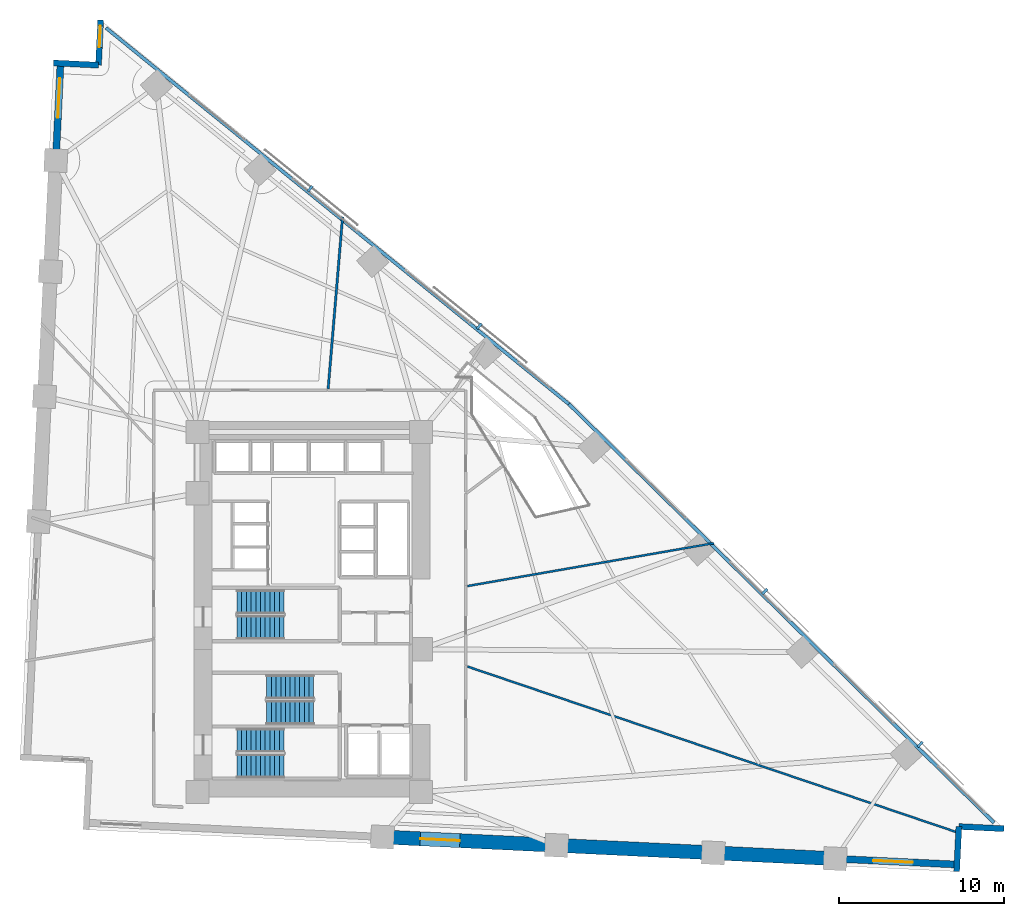
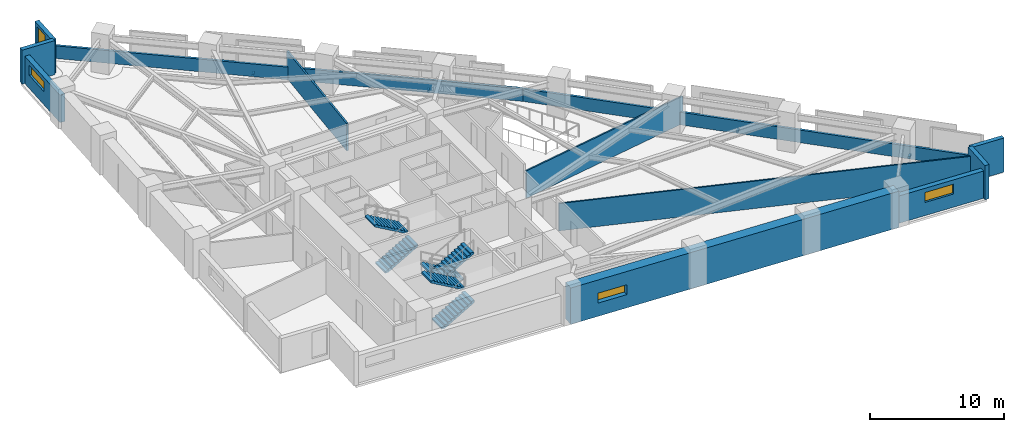
# One storey, part 15 of 17: 12 walls, 6 stair flights, 4 discrete accessories, 4 windows, 4 openings, 3 elements without a shape of their own.
"""IFC4 building model written with IfcOpenShell, lengths in metres."""

from ifc_helpers import new_model, si_unit, direction, frame, frame_2d, origin, origin_2d, place, context, subcontext, project, spatial, polyline, rectangle, outline, extrude, material, layer, layer_set, type_object, element, fill, aggregate, save


model = new_model("IFC4")

# Units and contexts
model_context = context("Model", 3, precision=1e-05, world=origin(), true_north=direction((0.0, 1.0)))
body_context = subcontext(model_context, "Body", "Model", "MODEL_VIEW")
ifc_project = project(units=[si_unit("LENGTHUNIT", "METRE"), si_unit("AREAUNIT", "SQUARE_METRE"), si_unit("VOLUMEUNIT", "CUBIC_METRE"), si_unit("PLANEANGLEUNIT", "RADIAN"), si_unit("MASSUNIT", "GRAM", prefix="KILO")], contexts=[model_context])

# Site, building, storey
site_placement = place(None, origin())
site = spatial("IfcSite", under=ifc_project, at=site_placement, CompositionType="ELEMENT")
building_placement = place(site_placement, origin())
building = spatial("IfcBuilding", under=site, at=building_placement, Name="Narakoshi Arena Tower", CompositionType="ELEMENT")
storey_placement = place(building_placement, frame((0.0, 0.0, 55.5)))
storey = spatial("IfcBuildingStorey", under=building, at=storey_placement, Name="L14", CompositionType="ELEMENT", Elevation=55.5)

# Wall, opening, window
ifc_material_1 = material(Name="Concrete C60/75", Category="concrete")
ifc_layer_1 = layer(ifc_material_1, 0.85009765625)
ifc_layer_set_1 = layer_set([ifc_layer_1], Name="Concrete C60/75")
wall_type_1 = type_object("IfcWallType", Name="WL-LEG-850", PredefinedType="SHEAR", material=ifc_layer_set_1)
wall_1_placement = place(storey_placement, frame((83.2119140625, 31.979248046875, -0.199951171875), z_axis=(0.0, 0.0, 1.0), x_axis=(0.998848235141, -0.047981279227, 0.0)))
wall_1 = element("IfcWall", 1, at=wall_1_placement, inside=storey, type_object=wall_type_1, Name="L14 Architectural Concrete Structural Wall LEGA-2", PredefinedType="SHEAR", context=body_context, shape_type="SweptSolid", body=[
    extrude(rectangle(XDim=27.456298828125, YDim=0.85009765625, at=frame_2d((13.72802734375, 0.0))), origin(), (0.0, 0.0, 1.0), 3.300048828125),
])
opening_1_placement = place(wall_1_placement, frame((2.300048828125, 0.0, 1.199951171875)))
opening_1 = element("IfcOpeningElement", 2, at=opening_1_placement, cuts=wall_1, Name="Opening WN-01", PredefinedType="OPENING", context=body_context, shape_type="SweptSolid", body=[
    extrude(rectangle(XDim=2.39990234375, YDim=0.89990234375, at=frame_2d((1.199951171875, 0.449951171875))), frame((0.0, 0.43505859375, 0.0), z_axis=(0.0, -1.0, 0.0), x_axis=(1.0, 0.0, 0.0)), (0.0, 0.0, 1.0), 0.8701171875),
])
ifc_material_2 = material(Name="Bronze-tinted low-E laminated glass", Category="glass")
window_type_1 = type_object("IfcWindowType", Name="WIN-SLT-24x09", PartitioningType="SINGLE_PANEL", PredefinedType="WINDOW", material=ifc_material_2)
window_1_placement = place(opening_1_placement, origin())
window_1 = element("IfcWindow", 3, at=window_1_placement, inside=storey, type_object=window_type_1, Name="L14 LEGA2 Horizontal Slot Window 1", OverallHeight=0.89990234375, OverallWidth=2.39990234375, PartitioningType="SINGLE_PANEL", PredefinedType="WINDOW", context=body_context, shape_type="SweptSolid", body=[
    extrude(rectangle(XDim=2.39990234375, YDim=0.89990234375, at=frame_2d((1.199951171875, 0.449951171875))), frame((0.0, 0.030029296875, 0.0), z_axis=(0.0, -1.0, 0.0), x_axis=(1.0, 0.0, 0.0)), (0.0, 0.0, 1.0), 0.06005859375),
])
fill(opening_1, window_1)

# Walls
ifc_material_3 = material(Name="Precast concrete C45/55", Category="concrete")
ifc_layer_2 = layer(ifc_material_3, 0.25)
ifc_layer_set_2 = layer_set([ifc_layer_2], Name="Precast concrete C45/55")
wall_type_2 = type_object("IfcWallType", Name="WL-PARA-250", PredefinedType="PARAPET", material=ifc_layer_set_2)
wall_2_placement = place(storey_placement, frame((120.254150390625, 32.847900390625, 0.0), z_axis=(0.0, 0.0, 1.0), x_axis=(-0.71254385441, 0.701627576099, 0.0)))
element("IfcWall", 4, at=wall_2_placement, inside=storey, type_object=wall_type_2, Name="L14 Hypotenuse Sill Upstand Parapet 1-01", PredefinedType="PARAPET", context=body_context, shape_type="SweptSolid", body=[
    extrude(rectangle(XDim=36.1416015625, YDim=0.199951171875, at=frame_2d((18.07080078125, 0.0))), origin(), (0.0, 0.0, 1.0), 1.14990234375),
])
wall_3_placement = place(storey_placement, frame((94.51318359375, 58.19580078125, 0.0), z_axis=(0.0, 0.0, 1.0), x_axis=(-0.776001602097, 0.630730935933, 0.0)))
element("IfcWall", 5, at=wall_3_placement, inside=storey, type_object=wall_type_2, Name="L14 Hypotenuse Sill Upstand Parapet 2-01", PredefinedType="PARAPET", context=body_context, shape_type="SweptSolid", body=[
    extrude(rectangle(XDim=36.14794921875, YDim=0.199951171875, at=frame_2d((18.073974609375, 0.0))), origin(), (0.0, 0.0, 1.0), 1.14990234375),
])
ifc_material_4 = material(Name="Gypsum plasterboard fire-rated partition")
ifc_layer_3 = layer(ifc_material_4, 0.125)
ifc_layer_set_3 = layer_set([ifc_layer_3], Name="Gypsum plasterboard fire-rated partition")
wall_type_3 = type_object("IfcWallType", Name="WL-PART-125", PredefinedType="PARTITIONING", material=ifc_layer_set_3)
wall_4_placement = place(storey_placement, frame((88.360107421875, 42.30419921875, 0.0), z_axis=(0.0, 0.0, 1.0), x_axis=(0.947179651732, -0.32070345702, 0.0)))
element("IfcWall", 6, at=wall_4_placement, inside=storey, type_object=wall_type_3, Name="L14 Inter-Room Partition 02-03", PredefinedType="PARTITIONING", context=body_context, shape_type="SweptSolid", body=[
    extrude(rectangle(XDim=31.411376953125, YDim=0.125, at=frame_2d((15.70556640625, 0.0))), origin(), (0.0, 0.0, 1.0), 2.485107421875),
])
wall_5_placement = place(storey_placement, frame((88.360107421875, 47.177978515625, 0.0), z_axis=(0.0, 0.0, 1.0), x_axis=(0.985210927216, 0.171345933402, 0.0)))
element("IfcWall", 7, at=wall_5_placement, inside=storey, type_object=wall_type_3, Name="L14 Inter-Room Partition 03-04", PredefinedType="PARTITIONING", context=body_context, shape_type="SweptSolid", body=[
    extrude(rectangle(XDim=15.156005859375, YDim=0.125, at=frame_2d((7.578125, 0.0))), origin(), (0.0, 0.0, 1.0), 2.485107421875),
])

# Wall, opening, window
ifc_layer_4 = layer(ifc_material_3, 0.419921875)
ifc_layer_set_4 = layer_set([ifc_layer_4], Name="Precast concrete C45/55")
wall_type_4 = type_object("IfcWallType", Name="WL-POD-420", PredefinedType="SOLIDWALL", material=ifc_layer_set_4)
wall_6_placement = place(storey_placement, frame((110.636474609375, 30.661865234375, 0.0), z_axis=(0.0, 0.0, 1.0), x_axis=(0.998847872759, -0.047988822508, 0.0)))
wall_6 = element("IfcWall", 8, at=wall_6_placement, inside=storey, type_object=wall_type_4, Name="L14 Architectural Concrete Facade Wall LEGA-3", PredefinedType="SOLIDWALL", context=body_context, shape_type="SweptSolid", body=[
    extrude(rectangle(XDim=7.39208984375, YDim=0.419921875, at=frame_2d((3.696044921875, 0.0))), origin(), (0.0, 0.0, 1.0), 2.485107421875),
])
opening_2_placement = place(wall_6_placement, frame((2.300048828125, 0.0, 1.199951171875)))
opening_2 = element("IfcOpeningElement", 9, at=opening_2_placement, cuts=wall_6, Name="Opening WN-01", PredefinedType="OPENING", context=body_context, shape_type="SweptSolid", body=[
    extrude(rectangle(XDim=2.39990234375, YDim=0.89990234375, at=frame_2d((1.199951171875, 0.449951171875))), frame((0.0, 0.219970703125, 0.0), z_axis=(0.0, -1.0, 0.0), x_axis=(1.0, 0.0, 0.0)), (0.0, 0.0, 1.0), 0.43994140625),
])
window_2_placement = place(opening_2_placement, origin())
window_2 = element("IfcWindow", 10, at=window_2_placement, inside=storey, type_object=window_type_1, Name="L14 LEGA3 Horizontal Slot Window 1", OverallHeight=0.89990234375, OverallWidth=2.39990234375, PartitioningType="SINGLE_PANEL", PredefinedType="WINDOW", context=body_context, shape_type="SweptSolid", body=[
    extrude(rectangle(XDim=2.39990234375, YDim=0.89990234375, at=frame_2d((1.199951171875, 0.449951171875))), frame((0.0, 0.030029296875, 0.0), z_axis=(0.0, -1.0, 0.0), x_axis=(1.0, 0.0, 0.0)), (0.0, 0.0, 1.0), 0.06005859375),
])
fill(opening_2, window_2)

wall_7_placement = place(storey_placement, frame((63.711181640625, 78.84375, 0.0), z_axis=(0.0, 0.0, 1.0), x_axis=(-0.048007946398, -0.998846953784, 0.0)))
wall_7 = element("IfcWall", 11, at=wall_7_placement, inside=storey, type_object=wall_type_4, Name="L14 Architectural Concrete Facade Wall LEGB-1", PredefinedType="SOLIDWALL", context=body_context, shape_type="SweptSolid", body=[
    extrude(rectangle(XDim=5.89404296875, YDim=0.419921875, at=frame_2d((2.947021484375, 0.0))), origin(), (0.0, 0.0, 1.0), 2.485107421875),
])
opening_3_placement = place(wall_7_placement, frame((0.89990234375, 0.0, 1.199951171875)))
opening_3 = element("IfcOpeningElement", 12, at=opening_3_placement, cuts=wall_7, Name="Opening WN-01", PredefinedType="OPENING", context=body_context, shape_type="SweptSolid", body=[
    extrude(rectangle(XDim=2.39990234375, YDim=0.89990234375, at=frame_2d((1.199951171875, 0.449951171875))), frame((0.0, 0.219970703125, 0.0), z_axis=(0.0, -1.0, 0.0), x_axis=(1.0, 0.0, 0.0)), (0.0, 0.0, 1.0), 0.43994140625),
])
window_3_placement = place(opening_3_placement, origin())
window_3 = element("IfcWindow", 13, at=window_3_placement, inside=storey, type_object=window_type_1, Name="L14 LEGB1 Horizontal Slot Window 1", OverallHeight=0.89990234375, OverallWidth=2.39990234375, PartitioningType="SINGLE_PANEL", PredefinedType="WINDOW", context=body_context, shape_type="SweptSolid", body=[
    extrude(rectangle(XDim=2.39990234375, YDim=0.89990234375, at=frame_2d((1.199951171875, 0.449951171875))), frame((0.0, 0.030029296875, 0.0), z_axis=(0.0, -1.0, 0.0), x_axis=(1.0, 0.0, 0.0)), (0.0, 0.0, 1.0), 0.06005859375),
])
fill(opening_3, window_3)

# Walls
for number, where, z_axis, x_axis, name in (
    (14, (117.99951171875, 29.8828125, 0.0), (0.0, 0.0, 1.0), (0.048024030708, 0.998846180588, 0.0), "L14 Re-Entrant Corner Notch Wall NTE-1"),
    (15, (118.130615234375, 32.609619140625, 0.0), (0.0, 0.0, 1.0), (0.998846180588, -0.048024030708, 0.0), "L14 Re-Entrant Corner Notch Wall NTE-2"),
):
    element("IfcWall", number, at=place(storey_placement, frame(where, z_axis=z_axis, x_axis=x_axis)), inside=storey, type_object=wall_type_4, Name=name, PredefinedType="SOLIDWALL", context=body_context, shape_type="SweptSolid", body=[
        extrude(rectangle(XDim=2.72998046875, YDim=0.360107421875, at=frame_2d((1.364990234375, 0.0))), origin(), (0.0, 0.0, 1.0), 3.10009765625),
    ])

# Wall, opening, window
wall_8_placement = place(storey_placement, frame((66.144287109375, 81.4599609375, 0.0), z_axis=(0.0, 0.0, 1.0), x_axis=(-0.047934806162, -0.998850466465, 0.0)))
wall_8 = element("IfcWall", 16, at=wall_8_placement, inside=storey, type_object=wall_type_4, Name="L14 Re-Entrant Corner Notch Wall NTN-1", PredefinedType="SOLIDWALL", context=body_context, shape_type="SweptSolid", body=[
    extrude(rectangle(XDim=2.72998046875, YDim=0.360107421875, at=frame_2d((1.364990234375, 0.0))), origin(), (0.0, 0.0, 1.0), 3.10009765625),
])
opening_4_placement = place(wall_8_placement, frame((0.340087890625, 0.0, 0.449951171875)))
opening_4 = element("IfcOpeningElement", 17, at=opening_4_placement, cuts=wall_8, Name="Opening WN-06", PredefinedType="OPENING", context=body_context, shape_type="SweptSolid", body=[
    extrude(rectangle(XDim=1.300048828125, YDim=2.39990234375, at=frame_2d((0.64990234375, 1.199951171875))), frame((0.0, 0.18994140625, 0.0), z_axis=(0.0, -1.0, 0.0), x_axis=(1.0, 0.0, 0.0)), (0.0, 0.0, 1.0), 0.380126953125),
])
window_type_2 = type_object("IfcWindowType", Name="WIN-NTC-16x24", PartitioningType="SINGLE_PANEL", PredefinedType="WINDOW", material=ifc_material_2)
window_4_placement = place(opening_4_placement, origin())
window_4 = element("IfcWindow", 18, at=window_4_placement, inside=storey, type_object=window_type_2, Name="L14 Corner Notch Window NTN", OverallHeight=2.39990234375, OverallWidth=1.300048828125, PartitioningType="SINGLE_PANEL", PredefinedType="WINDOW", context=body_context, shape_type="SweptSolid", body=[
    extrude(rectangle(XDim=1.300048828125, YDim=2.39990234375, at=frame_2d((0.64990234375, 1.199951171875))), frame((0.0, 0.030029296875, 0.0), z_axis=(0.0, -1.0, 0.0), x_axis=(1.0, 0.0, 0.0)), (0.0, 0.0, 1.0), 0.06005859375),
])
fill(opening_4, window_4)

# Walls
wall_9_placement = place(storey_placement, frame((66.013427734375, 78.733154296875, 0.0), z_axis=(0.0, 0.0, 1.0), x_axis=(-0.998846180588, 0.048024030708, 0.0)))
element("IfcWall", 19, at=wall_9_placement, inside=storey, type_object=wall_type_4, Name="L14 Re-Entrant Corner Notch Wall NTN-2", PredefinedType="SOLIDWALL", context=body_context, shape_type="SweptSolid", body=[
    extrude(rectangle(XDim=2.72998046875, YDim=0.360107421875, at=frame_2d((1.364990234375, 0.0))), origin(), (0.0, 0.0, 1.0), 3.10009765625),
])
ifc_material_5 = material(Name="Moisture-resistant cement-board partition")
ifc_layer_5 = layer(ifc_material_5, 0.14501953125)
ifc_layer_set_5 = layer_set([ifc_layer_5], Name="Moisture-resistant cement-board partition")
wall_type_5 = type_object("IfcWallType", Name="WL-WET-145", PredefinedType="PARTITIONING", material=ifc_layer_set_5)
wall_10_placement = place(storey_placement, frame((79.925048828125, 59.126953125, 0.0), z_axis=(0.0, 0.0, 1.0), x_axis=(0.083621197918, 0.996497614276, 0.0)))
element("IfcWall", 20, at=wall_10_placement, inside=storey, type_object=wall_type_5, Name="L14 Inter-Room Partition 06-07", PredefinedType="PARTITIONING", context=body_context, shape_type="SweptSolid", body=[
    extrude(rectangle(XDim=10.4580078125, YDim=0.14501953125, at=frame_2d((5.22900390625, 0.0))), origin(), (0.0, 0.0, 1.0), 2.485107421875),
])

# Stair, stair flights
ifc_material_6 = material(Name="Concrete C45/55", Category="concrete")
stair_type = type_object("IfcStairType", Name="STR-CORE-360", PredefinedType="TWO_STRAIGHT_RUN_STAIR", material=ifc_material_6)
stair_1_placement = place(storey_placement, origin())
stair_1 = element("IfcStair", 21, at=stair_1_placement, inside=storey, type_object=stair_type, Name="L14 Core Escape Stair ST1", PredefinedType="TWO_STRAIGHT_RUN_STAIR")
stair_flight_type = type_object("IfcStairFlightType", Name="FLT-145-160", PredefinedType="STRAIGHT", material=ifc_material_3)
stair_flight_1_placement = place(storey_placement, frame((74.39990234375, 36.27490234375, 0.0), z_axis=(0.0, 0.0, 1.0), x_axis=(1.0, 0.0, 0.0)))
stair_flight_1 = element("IfcStairFlight", 22, at=stair_flight_1_placement, type_object=stair_flight_type, Name="ST1 flight 1", NumberOfRisers=11, NumberOfTreads=10, PredefinedType="STRAIGHT", RiserHeight=0.163636364, TreadLength=0.285, context=body_context, shape_type="SweptSolid", body=[
    extrude(outline(polyline([(0.0, 0.0), (0.0, 0.16357421875), (0.284912109375, 0.16357421875), (0.284912109375, 0.327392578125), (0.570068359375, 0.327392578125), (0.570068359375, 0.490966796875), (0.85498046875, 0.490966796875), (0.85498046875, 0.654541015625), (1.139892578125, 0.654541015625), (1.139892578125, 0.818115234375), (1.425048828125, 0.818115234375), (1.425048828125, 0.98193359375), (1.7099609375, 0.98193359375), (1.7099609375, 1.1455078125), (1.9951171875, 1.1455078125), (1.9951171875, 1.30908203125), (2.280029296875, 1.30908203125), (2.280029296875, 1.47265625), (2.56494140625, 1.47265625), (2.56494140625, 1.636474609375), (2.85009765625, 1.636474609375), (2.85009765625, 1.800048828125), (2.85009765625, 1.463623046875), (0.301025390625, 0.0), (0.0, 0.0)])), frame((0.0, 0.72509765625, 0.0), z_axis=(0.0, -1.0, 0.0), x_axis=(1.0, 0.0, 0.0)), (0.0, 0.0, 1.0), 1.449951171875),
])
stair_flight_2_placement = place(storey_placement, frame((77.25, 37.824951171875, 1.800048828125), z_axis=(0.0, 0.0, 1.0), x_axis=(-1.0, 0.0, 0.0)))
stair_flight_2 = element("IfcStairFlight", 23, at=stair_flight_2_placement, type_object=stair_flight_type, Name="ST1 flight 2", NumberOfRisers=11, NumberOfTreads=10, PredefinedType="STRAIGHT", RiserHeight=0.163636364, TreadLength=0.285, context=body_context, shape_type="SweptSolid", body=[
    extrude(outline(polyline([(0.0, 0.0), (0.0, 0.16357421875), (0.284912109375, 0.16357421875), (0.284912109375, 0.327392578125), (0.570068359375, 0.327392578125), (0.570068359375, 0.490966796875), (0.85498046875, 0.490966796875), (0.85498046875, 0.654541015625), (1.139892578125, 0.654541015625), (1.139892578125, 0.818115234375), (1.425048828125, 0.818115234375), (1.425048828125, 0.98193359375), (1.7099609375, 0.98193359375), (1.7099609375, 1.1455078125), (1.9951171875, 1.1455078125), (1.9951171875, 1.30908203125), (2.280029296875, 1.30908203125), (2.280029296875, 1.47265625), (2.56494140625, 1.47265625), (2.56494140625, 1.636474609375), (2.85009765625, 1.636474609375), (2.85009765625, 1.800048828125), (2.85009765625, 1.463623046875), (0.301025390625, 0.0), (0.0, 0.0)])), frame((0.0, 0.72509765625, 0.0), z_axis=(0.0, -1.0, 0.0), x_axis=(1.0, 0.0, 0.0)), (0.0, 0.0, 1.0), 1.449951171875),
])
aggregate(stair_1, [stair_flight_1, stair_flight_2])

stair_2_placement = place(storey_placement, origin())
stair_2 = element("IfcStair", 24, at=stair_2_placement, inside=storey, type_object=stair_type, Name="L14 Core Escape Stair ST2", PredefinedType="TWO_STRAIGHT_RUN_STAIR")
stair_flight_3_placement = place(storey_placement, frame((79.050048828125, 41.074951171875, 0.0), z_axis=(0.0, 0.0, 1.0), x_axis=(-1.0, 0.0, 0.0)))
stair_flight_3 = element("IfcStairFlight", 25, at=stair_flight_3_placement, type_object=stair_flight_type, Name="ST2 flight 1", NumberOfRisers=11, NumberOfTreads=10, PredefinedType="STRAIGHT", RiserHeight=0.163636364, TreadLength=0.285, context=body_context, shape_type="SweptSolid", body=[
    extrude(outline(polyline([(0.0, 0.0), (0.0, 0.16357421875), (0.284912109375, 0.16357421875), (0.284912109375, 0.327392578125), (0.570068359375, 0.327392578125), (0.570068359375, 0.490966796875), (0.85498046875, 0.490966796875), (0.85498046875, 0.654541015625), (1.139892578125, 0.654541015625), (1.139892578125, 0.818115234375), (1.425048828125, 0.818115234375), (1.425048828125, 0.98193359375), (1.7099609375, 0.98193359375), (1.7099609375, 1.1455078125), (1.9951171875, 1.1455078125), (1.9951171875, 1.30908203125), (2.280029296875, 1.30908203125), (2.280029296875, 1.47265625), (2.56494140625, 1.47265625), (2.56494140625, 1.636474609375), (2.85009765625, 1.636474609375), (2.85009765625, 1.800048828125), (2.85009765625, 1.463623046875), (0.301025390625, 0.0), (0.0, 0.0)])), frame((0.0, 0.72509765625, 0.0), z_axis=(0.0, -1.0, 0.0), x_axis=(1.0, 0.0, 0.0)), (0.0, 0.0, 1.0), 1.449951171875),
])
stair_flight_4_placement = place(storey_placement, frame((76.199951171875, 39.52490234375, 1.800048828125), z_axis=(0.0, 0.0, 1.0), x_axis=(1.0, 0.0, 0.0)))
stair_flight_4 = element("IfcStairFlight", 26, at=stair_flight_4_placement, type_object=stair_flight_type, Name="ST2 flight 2", NumberOfRisers=11, NumberOfTreads=10, PredefinedType="STRAIGHT", RiserHeight=0.163636364, TreadLength=0.285, context=body_context, shape_type="SweptSolid", body=[
    extrude(outline(polyline([(0.0, 0.0), (0.0, 0.16357421875), (0.284912109375, 0.16357421875), (0.284912109375, 0.327392578125), (0.570068359375, 0.327392578125), (0.570068359375, 0.490966796875), (0.85498046875, 0.490966796875), (0.85498046875, 0.654541015625), (1.139892578125, 0.654541015625), (1.139892578125, 0.818115234375), (1.425048828125, 0.818115234375), (1.425048828125, 0.98193359375), (1.7099609375, 0.98193359375), (1.7099609375, 1.1455078125), (1.9951171875, 1.1455078125), (1.9951171875, 1.30908203125), (2.280029296875, 1.30908203125), (2.280029296875, 1.47265625), (2.56494140625, 1.47265625), (2.56494140625, 1.636474609375), (2.85009765625, 1.636474609375), (2.85009765625, 1.800048828125), (2.85009765625, 1.463623046875), (0.301025390625, 0.0), (0.0, 0.0)])), frame((0.0, 0.72509765625, 0.0), z_axis=(0.0, -1.0, 0.0), x_axis=(1.0, 0.0, 0.0)), (0.0, 0.0, 1.0), 1.449951171875),
])
aggregate(stair_2, [stair_flight_3, stair_flight_4])

stair_3_placement = place(storey_placement, origin())
stair_3 = element("IfcStair", 27, at=stair_3_placement, inside=storey, type_object=stair_type, Name="L14 Core Escape Stair ST3", PredefinedType="TWO_STRAIGHT_RUN_STAIR")
stair_flight_5_placement = place(storey_placement, frame((74.39990234375, 44.675048828125, 0.0), z_axis=(0.0, 0.0, 1.0), x_axis=(1.0, 0.0, 0.0)))
stair_flight_5 = element("IfcStairFlight", 28, at=stair_flight_5_placement, type_object=stair_flight_type, Name="ST3 flight 1", NumberOfRisers=11, NumberOfTreads=10, PredefinedType="STRAIGHT", RiserHeight=0.163636364, TreadLength=0.285, context=body_context, shape_type="SweptSolid", body=[
    extrude(outline(polyline([(0.0, 0.0), (0.0, 0.16357421875), (0.284912109375, 0.16357421875), (0.284912109375, 0.327392578125), (0.570068359375, 0.327392578125), (0.570068359375, 0.490966796875), (0.85498046875, 0.490966796875), (0.85498046875, 0.654541015625), (1.139892578125, 0.654541015625), (1.139892578125, 0.818115234375), (1.425048828125, 0.818115234375), (1.425048828125, 0.98193359375), (1.7099609375, 0.98193359375), (1.7099609375, 1.1455078125), (1.9951171875, 1.1455078125), (1.9951171875, 1.30908203125), (2.280029296875, 1.30908203125), (2.280029296875, 1.47265625), (2.56494140625, 1.47265625), (2.56494140625, 1.636474609375), (2.85009765625, 1.636474609375), (2.85009765625, 1.800048828125), (2.85009765625, 1.463623046875), (0.301025390625, 0.0), (0.0, 0.0)])), frame((0.0, 0.72509765625, 0.0), z_axis=(0.0, -1.0, 0.0), x_axis=(1.0, 0.0, 0.0)), (0.0, 0.0, 1.0), 1.449951171875),
])
stair_flight_6_placement = place(storey_placement, frame((77.25, 46.22509765625, 1.800048828125), z_axis=(0.0, 0.0, 1.0), x_axis=(-1.0, 0.0, 0.0)))
stair_flight_6 = element("IfcStairFlight", 29, at=stair_flight_6_placement, type_object=stair_flight_type, Name="ST3 flight 2", NumberOfRisers=11, NumberOfTreads=10, PredefinedType="STRAIGHT", RiserHeight=0.163636364, TreadLength=0.285, context=body_context, shape_type="SweptSolid", body=[
    extrude(outline(polyline([(0.0, 0.0), (0.0, 0.16357421875), (0.284912109375, 0.16357421875), (0.284912109375, 0.327392578125), (0.570068359375, 0.327392578125), (0.570068359375, 0.490966796875), (0.85498046875, 0.490966796875), (0.85498046875, 0.654541015625), (1.139892578125, 0.654541015625), (1.139892578125, 0.818115234375), (1.425048828125, 0.818115234375), (1.425048828125, 0.98193359375), (1.7099609375, 0.98193359375), (1.7099609375, 1.1455078125), (1.9951171875, 1.1455078125), (1.9951171875, 1.30908203125), (2.280029296875, 1.30908203125), (2.280029296875, 1.47265625), (2.56494140625, 1.47265625), (2.56494140625, 1.636474609375), (2.85009765625, 1.636474609375), (2.85009765625, 1.800048828125), (2.85009765625, 1.463623046875), (0.301025390625, 0.0), (0.0, 0.0)])), frame((0.0, 0.72509765625, 0.0), z_axis=(0.0, -1.0, 0.0), x_axis=(1.0, 0.0, 0.0)), (0.0, 0.0, 1.0), 1.449951171875),
])
aggregate(stair_3, [stair_flight_5, stair_flight_6])

# Discrete accessories
ifc_material_7 = material(Name="Structural steel S355J2", Category="steel")
discrete_accessory_type = type_object("IfcDiscreteAccessoryType", Name="ACC-BRK-SCR", PredefinedType="BRACKET", material=ifc_material_7)
for number, where, z_axis, x_axis, name in (
    (30, (115.783203125, 37.58740234375, -0.080078125), (0.0, 0.0, 1.0), (-0.712540559713, 0.70163092204, 0.0), "L14 Solar Screen Support Bracket SHD-L14-SCR1-1"),
    (31, (106.377685546875, 46.848876953125, -0.080078125), (0.0, 0.0, 1.0), (-0.712540559713, 0.70163092204, 0.0), "L14 Solar Screen Support Bracket SHD-L14-SCR1-2"),
    (32, (89.077392578125, 62.923095703125, -0.080078125), (0.0, 0.0, 1.0), (-0.776002375698, 0.630729984154, 0.0), "L14 Solar Screen Support Bracket SHD-L14-SCR2-1"),
    (33, (78.833984375, 71.248779296875, -0.080078125), (0.0, 0.0, 1.0), (-0.776002375698, 0.630729984154, 0.0), "L14 Solar Screen Support Bracket SHD-L14-SCR2-2"),
):
    element("IfcDiscreteAccessory", number, at=place(storey_placement, frame(where, z_axis=z_axis, x_axis=x_axis)), inside=storey, type_object=discrete_accessory_type, Name=name, PredefinedType="BRACKET", context=body_context, shape_type="SweptSolid", body=[
        extrude(rectangle(XDim=0.159912109375, YDim=0.425048828125, at=origin_2d()), origin(), (0.0, 0.0, 1.0), 0.199951171875),
    ])

save(model, "model.ifc")
